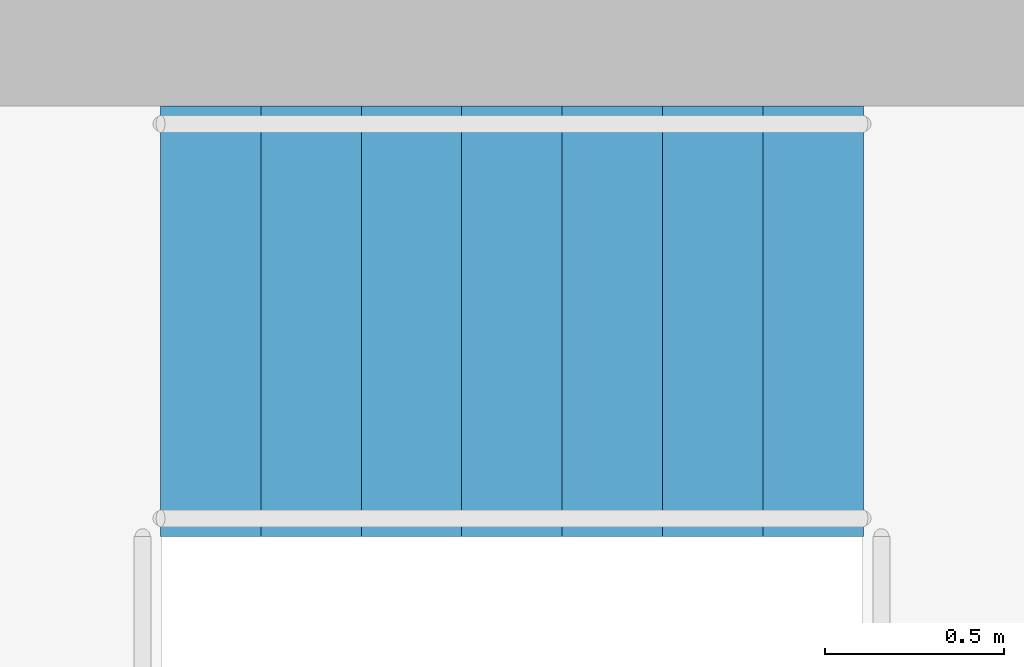
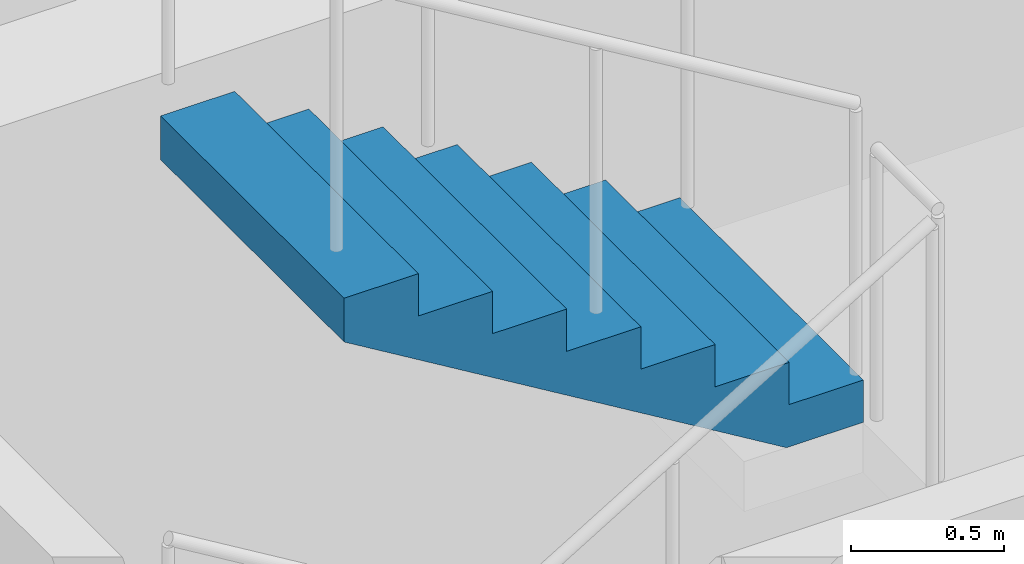
# One storey, part 7 of 11: 1 stair flight, 1 element without a shape of its own.
"""IFC4 building model written with IfcOpenShell, lengths in metres."""

from ifc_helpers import new_model, si_unit, direction, frame, origin, place, context, subcontext, project, spatial, polyline, outline, extrude, material, type_object, element, aggregate, save


model = new_model("IFC4")

# Units and contexts
model_context = context("Model", 3, precision=1e-05, world=origin(), true_north=direction((0.0, 1.0)))
body_context = subcontext(model_context, "Body", "Model", "MODEL_VIEW")
ifc_project = project(units=[si_unit("LENGTHUNIT", "METRE"), si_unit("AREAUNIT", "SQUARE_METRE"), si_unit("VOLUMEUNIT", "CUBIC_METRE"), si_unit("PLANEANGLEUNIT", "RADIAN"), si_unit("MASSUNIT", "GRAM", prefix="KILO")], contexts=[model_context])

# Site, building, storey
site_placement = place(None, origin())
site = spatial("IfcSite", under=ifc_project, at=site_placement, CompositionType="ELEMENT")
building_placement = place(site_placement, origin())
building = spatial("IfcBuilding", under=site, at=building_placement, Name="Sierra Prisma Convention Tower", CompositionType="ELEMENT")
storey_placement = place(building_placement, frame((0.0, 0.0, 28.800048828125)))
storey = spatial("IfcBuildingStorey", under=building, at=storey_placement, Name="L04", CompositionType="ELEMENT", Elevation=28.800048828125)

# Stair, stair flight
ifc_material_1 = material(Name="Concrete C30/37", Category="concrete")
stair_type = type_object("IfcStairType", Name="Stair dog-leg 1200 RC", PredefinedType="HALF_TURN_STAIR", material=ifc_material_1)
stair_placement = place(storey_placement, origin())
stair = element("IfcStair", 1, at=stair_placement, inside=storey, type_object=stair_type, Name="L04 S4", PredefinedType="HALF_TURN_STAIR")
ifc_material_2 = material(Name="Concrete C30/37", Category="concrete")
stair_flight_type = type_object("IfcStairFlightType", Name="Stair flight RC 1200", PredefinedType="STRAIGHT", material=ifc_material_2)
stair_flight_placement = place(storey_placement, frame((7.56005859375, 6.89990234375, 4.050048828125), z_axis=(0.0, 0.0, 1.0), x_axis=(-1.0, 0.0, 0.0)))
stair_flight = element("IfcStairFlight", 2, at=stair_flight_placement, type_object=stair_flight_type, Name="S4 flight 4", NumberOfRisers=8, NumberOfTreads=7, PredefinedType="STRAIGHT", RiserHeight=0.16875, TreadLength=0.28, context=body_context, shape_type="SweptSolid", body=[
    extrude(outline(polyline([(0.0, 0.0), (0.0, 0.168701171875), (0.280029296875, 0.168701171875), (0.280029296875, 0.33740234375), (0.56005859375, 0.33740234375), (0.56005859375, 0.50634765625), (0.840087890625, 0.50634765625), (0.840087890625, 0.675048828125), (1.1201171875, 0.675048828125), (1.1201171875, 0.84375), (1.39990234375, 0.84375), (1.39990234375, 1.012451171875), (1.679931640625, 1.012451171875), (1.679931640625, 1.18115234375), (1.9599609375, 1.18115234375), (1.9599609375, 1.35009765625), (1.9599609375, 1.00634765625), (0.29052734375, 0.0), (0.0, 0.0)])), frame((0.0, 0.60009765625, 0.0), z_axis=(0.0, -1.0, 0.0), x_axis=(1.0, 0.0, 0.0)), (0.0, 0.0, 1.0), 1.199951171875),
])
aggregate(stair, [stair_flight])

save(model, "model.ifc")
